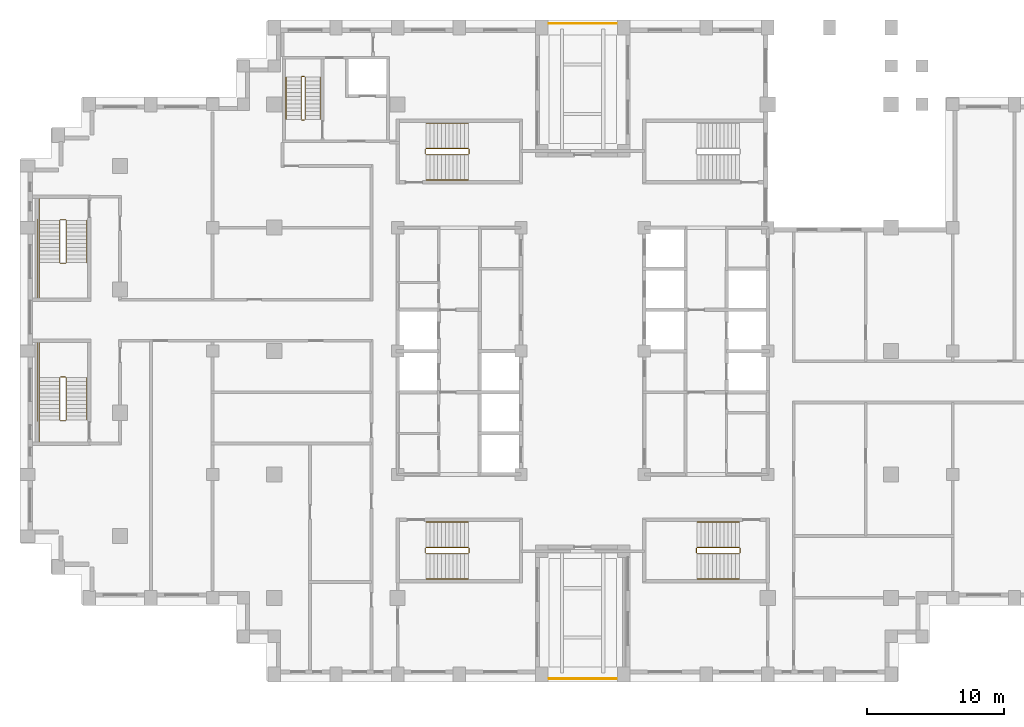
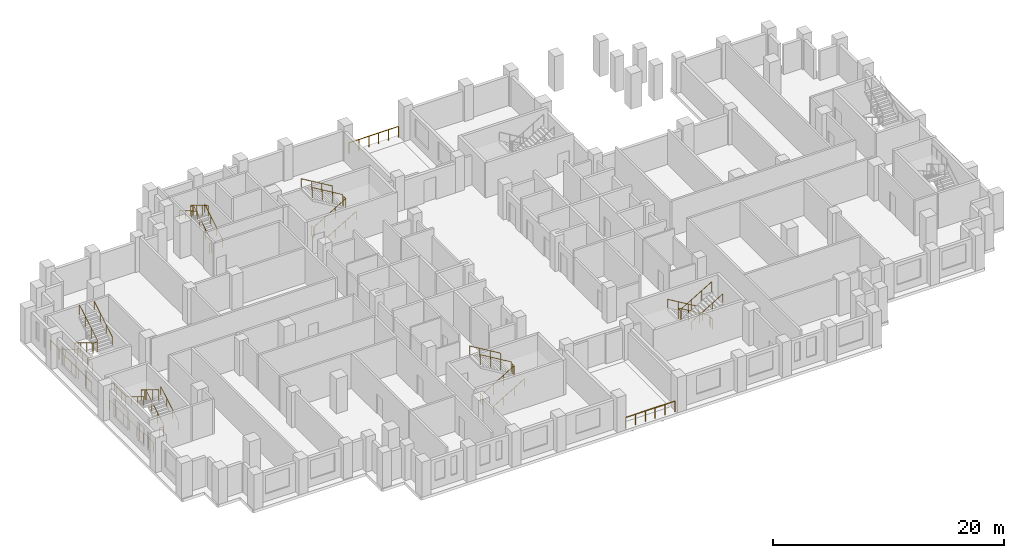
# One storey, part 11 of 12: 8 railings.
"""IFC4 building model written with IfcOpenShell, lengths in metres."""

from ifc_helpers import new_model, si_unit, direction, frame, origin, origin_2d, place, context, subcontext, project, spatial, circle, extrude, material, type_object, element, save


model = new_model("IFC4")

# Units and contexts
model_context = context("Model", 3, precision=1e-05, world=origin(), true_north=direction((0.0, 1.0)))
body_context = subcontext(model_context, "Body", "Model", "MODEL_VIEW")
ifc_project = project(units=[si_unit("LENGTHUNIT", "METRE"), si_unit("AREAUNIT", "SQUARE_METRE"), si_unit("VOLUMEUNIT", "CUBIC_METRE"), si_unit("PLANEANGLEUNIT", "RADIAN"), si_unit("MASSUNIT", "GRAM", prefix="KILO")], contexts=[model_context])

# Site, building, storey
site_placement = place(None, origin())
site = spatial("IfcSite", under=ifc_project, at=site_placement, CompositionType="ELEMENT")
building_placement = place(site_placement, origin())
building = spatial("IfcBuilding", under=site, at=building_placement, Name="Corbelhall Arena Tower", CompositionType="ELEMENT")
storey_placement = place(building_placement, frame((0.0, 0.0, 126.0)))
storey = spatial("IfcBuildingStorey", under=building, at=storey_placement, Name="L23", CompositionType="ELEMENT", Elevation=126.0)

# Railings
ifc_material = material(Name="Steel ASTM A500 Gr C", Category="steel")
railing_type_1 = type_object("IfcRailingType", Name="EV-GD1 Terrace guard 1100", PredefinedType="GUARDRAIL", material=ifc_material)
for number, where, name in (
    (1, (-2.449951171875, 23.89990234375, 0.0), "Guard"),
    (2, (-2.449951171875, -23.89990234375, 0.0), "Guard"),
):
    element("IfcRailing", number, at=place(storey_placement, frame(where)), inside=storey, type_object=railing_type_1, Name=name, PredefinedType="GUARDRAIL", context=body_context, shape_type="SweptSolid", body=[
        extrude(circle(Radius=0.02392578125, at=origin_2d()), frame((0.0, 0.0, 1.1259765625), z_axis=(1.0, 0.0, 0.0), x_axis=(0.0, 1.0, 0.0)), (0.0, 0.0, 1.0), 4.89990234375),
        extrude(circle(Radius=0.02099609375, at=origin_2d()), origin(), (0.0, 0.0, 1.0), 1.101806640625),
        extrude(circle(Radius=0.02099609375, at=origin_2d()), frame((0.97998046875, 0.0, 0.0)), (0.0, 0.0, 1.0), 1.101806640625),
        extrude(circle(Radius=0.02099609375, at=origin_2d()), frame((1.9599609375, 0.0, 0.0)), (0.0, 0.0, 1.0), 1.101806640625),
        extrude(circle(Radius=0.02099609375, at=origin_2d()), frame((2.93994140625, 0.0, 0.0)), (0.0, 0.0, 1.0), 1.101806640625),
        extrude(circle(Radius=0.02099609375, at=origin_2d()), frame((3.919921875, 0.0, 0.0)), (0.0, 0.0, 1.0), 1.101806640625),
        extrude(circle(Radius=0.02099609375, at=origin_2d()), frame((4.89990234375, 0.0, 0.0)), (0.0, 0.0, 1.0), 1.101806640625),
    ])
railing_type_2 = type_object("IfcRailingType", Name="IN-GD-1100", PredefinedType="GUARDRAIL", material=ifc_material)
railing_1_placement = place(storey_placement, frame((-11.425048828125, 14.324951171875, 0.166748046875)))
element("IfcRailing", 3, at=railing_1_placement, inside=storey, type_object=railing_type_2, Name="L23 ST1 stair guards and handrails", PredefinedType="GUARDRAIL", context=body_context, shape_type="SweptSolid", body=[
    extrude(circle(Radius=0.02392578125, at=origin_2d()), frame((0.0, 0.0, 1.076171875), z_axis=(0.859308565015, 0.0, 0.511457515432), x_axis=(0.0, 1.0, 0.0)), (0.0, 0.0, 1.0), 3.58447265625),
    extrude(circle(Radius=0.02392578125, at=origin_2d()), frame((3.130126953125, 0.050048828125, 2.9091796875), z_axis=(0.0, 1.0, 0.0), x_axis=(-1.0, 0.0, 0.0)), (0.0, 0.0, 1.0), 0.35009765625),
    extrude(circle(Radius=0.02392578125, at=origin_2d()), frame((3.080078125, 0.449951171875, 3.076171875), z_axis=(-0.859308565015, 0.0, 0.511457515432), x_axis=(0.0, -1.0, 0.0)), (0.0, 0.0, 1.0), 3.58447265625),
    extrude(circle(Radius=0.02392578125, at=origin_2d()), frame((-0.050048828125, 0.050048828125, 0.9091796875), z_axis=(0.0, 1.0, 0.0), x_axis=(-1.0, 0.0, 0.0)), (0.0, 0.0, 1.0), 0.35009765625),
    extrude(circle(Radius=0.02392578125, at=origin_2d()), frame((0.0, -1.849853515625, 0.8759765625), z_axis=(0.859308565015, 0.0, 0.511457515432), x_axis=(0.0, 1.0, 0.0)), (0.0, 0.0, 1.0), 3.58447265625),
    extrude(circle(Radius=0.02392578125, at=origin_2d()), frame((3.080078125, 2.300048828125, 2.8759765625), z_axis=(-0.859308565015, 0.0, 0.511457515432), x_axis=(0.0, -1.0, 0.0)), (0.0, 0.0, 1.0), 3.58447265625),
    extrude(circle(Radius=0.02099609375, at=origin_2d()), origin(), (0.0, 0.0, 1.0), 1.052001953125),
    extrude(circle(Radius=0.02099609375, at=origin_2d()), frame((1.026611328125, 0.0, 0.611083984375)), (0.0, 0.0, 1.0), 1.052001953125),
    extrude(circle(Radius=0.02099609375, at=origin_2d()), frame((2.053466796875, 0.0, 1.22216796875)), (0.0, 0.0, 1.0), 1.052001953125),
    extrude(circle(Radius=0.02099609375, at=origin_2d()), frame((3.080078125, 0.0, 1.833251953125)), (0.0, 0.0, 1.0), 1.052001953125),
    extrude(circle(Radius=0.02099609375, at=origin_2d()), frame((3.130126953125, 0.050048828125, 1.833251953125)), (0.0, 0.0, 1.0), 1.052001953125),
    extrude(circle(Radius=0.02099609375, at=origin_2d()), frame((3.130126953125, 0.400146484375, 1.833251953125)), (0.0, 0.0, 1.0), 1.052001953125),
    extrude(circle(Radius=0.02099609375, at=origin_2d()), frame((3.080078125, 0.449951171875, 2.0)), (0.0, 0.0, 1.0), 1.052001953125),
    extrude(circle(Radius=0.02099609375, at=origin_2d()), frame((2.053466796875, 0.449951171875, 2.611083984375)), (0.0, 0.0, 1.0), 1.052001953125),
    extrude(circle(Radius=0.02099609375, at=origin_2d()), frame((1.026611328125, 0.449951171875, 3.22216796875)), (0.0, 0.0, 1.0), 1.052001953125),
    extrude(circle(Radius=0.02099609375, at=origin_2d()), frame((0.0, 0.449951171875, 3.833251953125)), (0.0, 0.0, 1.0), 1.052001953125),
    extrude(circle(Radius=0.02099609375, at=origin_2d()), frame((-0.050048828125, 0.050048828125, -0.166748046875)), (0.0, 0.0, 1.0), 1.052001953125),
    extrude(circle(Radius=0.02099609375, at=origin_2d()), frame((-0.050048828125, 0.400146484375, -0.166748046875)), (0.0, 0.0, 1.0), 1.052001953125),
    extrude(circle(Radius=0.02099609375, at=origin_2d()), frame((0.0, -1.849853515625, 0.0)), (0.0, 0.0, 1.0), 0.851806640625),
    extrude(circle(Radius=0.02099609375, at=origin_2d()), frame((1.026611328125, -1.849853515625, 0.611083984375)), (0.0, 0.0, 1.0), 0.851806640625),
    extrude(circle(Radius=0.02099609375, at=origin_2d()), frame((2.053466796875, -1.849853515625, 1.22216796875)), (0.0, 0.0, 1.0), 0.851806640625),
    extrude(circle(Radius=0.02099609375, at=origin_2d()), frame((3.080078125, -1.849853515625, 1.833251953125)), (0.0, 0.0, 1.0), 0.851806640625),
    extrude(circle(Radius=0.02099609375, at=origin_2d()), frame((3.080078125, 2.300048828125, 2.0)), (0.0, 0.0, 1.0), 0.851806640625),
    extrude(circle(Radius=0.02099609375, at=origin_2d()), frame((2.053466796875, 2.300048828125, 2.611083984375)), (0.0, 0.0, 1.0), 0.851806640625),
    extrude(circle(Radius=0.02099609375, at=origin_2d()), frame((1.026611328125, 2.300048828125, 3.22216796875)), (0.0, 0.0, 1.0), 0.851806640625),
    extrude(circle(Radius=0.02099609375, at=origin_2d()), frame((0.0, 2.300048828125, 3.833251953125)), (0.0, 0.0, 1.0), 0.851806640625),
])
railing_2_placement = place(storey_placement, frame((-11.425048828125, -14.77490234375, 0.166748046875)))
element("IfcRailing", 4, at=railing_2_placement, inside=storey, type_object=railing_type_2, Name="L23 ST2 stair guards and handrails", PredefinedType="GUARDRAIL", context=body_context, shape_type="SweptSolid", body=[
    extrude(circle(Radius=0.02392578125, at=origin_2d()), frame((0.0, 0.0, 1.076171875), z_axis=(0.859308565015, 0.0, 0.511457515432), x_axis=(0.0, 1.0, 0.0)), (0.0, 0.0, 1.0), 3.58447265625),
    extrude(circle(Radius=0.02392578125, at=origin_2d()), frame((3.130126953125, 0.0498046875, 2.9091796875), z_axis=(0.0, 1.0, 0.0), x_axis=(-1.0, 0.0, 0.0)), (0.0, 0.0, 1.0), 0.35009765625),
    extrude(circle(Radius=0.02392578125, at=origin_2d()), frame((3.080078125, 0.449951171875, 3.076171875), z_axis=(-0.859308565015, 0.0, 0.511457515432), x_axis=(0.0, -1.0, 0.0)), (0.0, 0.0, 1.0), 3.58447265625),
    extrude(circle(Radius=0.02392578125, at=origin_2d()), frame((-0.050048828125, 0.0498046875, 0.9091796875), z_axis=(0.0, 1.0, 0.0), x_axis=(-1.0, 0.0, 0.0)), (0.0, 0.0, 1.0), 0.35009765625),
    extrude(circle(Radius=0.02392578125, at=origin_2d()), frame((0.0, -1.85009765625, 0.8759765625), z_axis=(0.859308565015, 0.0, 0.511457515432), x_axis=(0.0, 1.0, 0.0)), (0.0, 0.0, 1.0), 3.58447265625),
    extrude(circle(Radius=0.02392578125, at=origin_2d()), frame((3.080078125, 2.2998046875, 2.8759765625), z_axis=(-0.859308565015, 0.0, 0.511457515432), x_axis=(0.0, -1.0, 0.0)), (0.0, 0.0, 1.0), 3.58447265625),
    extrude(circle(Radius=0.02099609375, at=origin_2d()), origin(), (0.0, 0.0, 1.0), 1.052001953125),
    extrude(circle(Radius=0.02099609375, at=origin_2d()), frame((1.026611328125, 0.0, 0.611083984375)), (0.0, 0.0, 1.0), 1.052001953125),
    extrude(circle(Radius=0.02099609375, at=origin_2d()), frame((2.053466796875, 0.0, 1.22216796875)), (0.0, 0.0, 1.0), 1.052001953125),
    extrude(circle(Radius=0.02099609375, at=origin_2d()), frame((3.080078125, 0.0, 1.833251953125)), (0.0, 0.0, 1.0), 1.052001953125),
    extrude(circle(Radius=0.02099609375, at=origin_2d()), frame((3.130126953125, 0.0498046875, 1.833251953125)), (0.0, 0.0, 1.0), 1.052001953125),
    extrude(circle(Radius=0.02099609375, at=origin_2d()), frame((3.130126953125, 0.39990234375, 1.833251953125)), (0.0, 0.0, 1.0), 1.052001953125),
    extrude(circle(Radius=0.02099609375, at=origin_2d()), frame((3.080078125, 0.449951171875, 2.0)), (0.0, 0.0, 1.0), 1.052001953125),
    extrude(circle(Radius=0.02099609375, at=origin_2d()), frame((2.053466796875, 0.449951171875, 2.611083984375)), (0.0, 0.0, 1.0), 1.052001953125),
    extrude(circle(Radius=0.02099609375, at=origin_2d()), frame((1.026611328125, 0.449951171875, 3.22216796875)), (0.0, 0.0, 1.0), 1.052001953125),
    extrude(circle(Radius=0.02099609375, at=origin_2d()), frame((0.0, 0.449951171875, 3.833251953125)), (0.0, 0.0, 1.0), 1.052001953125),
    extrude(circle(Radius=0.02099609375, at=origin_2d()), frame((-0.050048828125, 0.0498046875, -0.166748046875)), (0.0, 0.0, 1.0), 1.052001953125),
    extrude(circle(Radius=0.02099609375, at=origin_2d()), frame((-0.050048828125, 0.39990234375, -0.166748046875)), (0.0, 0.0, 1.0), 1.052001953125),
    extrude(circle(Radius=0.02099609375, at=origin_2d()), frame((0.0, -1.85009765625, 0.0)), (0.0, 0.0, 1.0), 0.851806640625),
    extrude(circle(Radius=0.02099609375, at=origin_2d()), frame((1.026611328125, -1.85009765625, 0.611083984375)), (0.0, 0.0, 1.0), 0.851806640625),
    extrude(circle(Radius=0.02099609375, at=origin_2d()), frame((2.053466796875, -1.85009765625, 1.22216796875)), (0.0, 0.0, 1.0), 0.851806640625),
    extrude(circle(Radius=0.02099609375, at=origin_2d()), frame((3.080078125, -1.85009765625, 1.833251953125)), (0.0, 0.0, 1.0), 0.851806640625),
    extrude(circle(Radius=0.02099609375, at=origin_2d()), frame((3.080078125, 2.2998046875, 2.0)), (0.0, 0.0, 1.0), 0.851806640625),
    extrude(circle(Radius=0.02099609375, at=origin_2d()), frame((2.053466796875, 2.2998046875, 2.611083984375)), (0.0, 0.0, 1.0), 0.851806640625),
    extrude(circle(Radius=0.02099609375, at=origin_2d()), frame((1.026611328125, 2.2998046875, 3.22216796875)), (0.0, 0.0, 1.0), 0.851806640625),
    extrude(circle(Radius=0.02099609375, at=origin_2d()), frame((0.0, 2.2998046875, 3.833251953125)), (0.0, 0.0, 1.0), 0.851806640625),
])
railing_3_placement = place(storey_placement, frame((11.425048828125, -14.324951171875, 0.166748046875)))
element("IfcRailing", 5, at=railing_3_placement, inside=storey, type_object=railing_type_2, Name="L23 ST4 stair guards and handrails", PredefinedType="GUARDRAIL", context=body_context, shape_type="SweptSolid", body=[
    extrude(circle(Radius=0.02392578125, at=origin_2d()), frame((0.0, 0.0, 1.076171875), z_axis=(-0.859308565015, 0.0, 0.511457515432), x_axis=(0.0, -1.0, 0.0)), (0.0, 0.0, 1.0), 3.58447265625),
    extrude(circle(Radius=0.02392578125, at=origin_2d()), frame((-3.130126953125, -0.050048828125, 2.9091796875), z_axis=(0.0, -1.0, 0.0), x_axis=(1.0, 0.0, 0.0)), (0.0, 0.0, 1.0), 0.35009765625),
    extrude(circle(Radius=0.02392578125, at=origin_2d()), frame((-3.080078125, -0.449951171875, 3.076171875), z_axis=(0.859308565015, 0.0, 0.511457515432), x_axis=(0.0, 1.0, 0.0)), (0.0, 0.0, 1.0), 3.58447265625),
    extrude(circle(Radius=0.02392578125, at=origin_2d()), frame((0.050048828125, -0.050048828125, 0.9091796875), z_axis=(0.0, -1.0, 0.0), x_axis=(1.0, 0.0, 0.0)), (0.0, 0.0, 1.0), 0.35009765625),
    extrude(circle(Radius=0.02392578125, at=origin_2d()), frame((0.0, 1.849853515625, 0.8759765625), z_axis=(-0.859308565015, 0.0, 0.511457515432), x_axis=(0.0, -1.0, 0.0)), (0.0, 0.0, 1.0), 3.58447265625),
    extrude(circle(Radius=0.02392578125, at=origin_2d()), frame((-3.080078125, -2.300048828125, 2.8759765625), z_axis=(0.859308565015, 0.0, 0.511457515432), x_axis=(0.0, 1.0, 0.0)), (0.0, 0.0, 1.0), 3.58447265625),
    extrude(circle(Radius=0.02099609375, at=origin_2d()), origin(), (0.0, 0.0, 1.0), 1.052001953125),
    extrude(circle(Radius=0.02099609375, at=origin_2d()), frame((-1.026611328125, 0.0, 0.611083984375)), (0.0, 0.0, 1.0), 1.052001953125),
    extrude(circle(Radius=0.02099609375, at=origin_2d()), frame((-2.053466796875, 0.0, 1.22216796875)), (0.0, 0.0, 1.0), 1.052001953125),
    extrude(circle(Radius=0.02099609375, at=origin_2d()), frame((-3.080078125, 0.0, 1.833251953125)), (0.0, 0.0, 1.0), 1.052001953125),
    extrude(circle(Radius=0.02099609375, at=origin_2d()), frame((-3.130126953125, -0.050048828125, 1.833251953125)), (0.0, 0.0, 1.0), 1.052001953125),
    extrude(circle(Radius=0.02099609375, at=origin_2d()), frame((-3.130126953125, -0.400146484375, 1.833251953125)), (0.0, 0.0, 1.0), 1.052001953125),
    extrude(circle(Radius=0.02099609375, at=origin_2d()), frame((-3.080078125, -0.449951171875, 2.0)), (0.0, 0.0, 1.0), 1.052001953125),
    extrude(circle(Radius=0.02099609375, at=origin_2d()), frame((-2.053466796875, -0.449951171875, 2.611083984375)), (0.0, 0.0, 1.0), 1.052001953125),
    extrude(circle(Radius=0.02099609375, at=origin_2d()), frame((-1.026611328125, -0.449951171875, 3.22216796875)), (0.0, 0.0, 1.0), 1.052001953125),
    extrude(circle(Radius=0.02099609375, at=origin_2d()), frame((0.0, -0.449951171875, 3.833251953125)), (0.0, 0.0, 1.0), 1.052001953125),
    extrude(circle(Radius=0.02099609375, at=origin_2d()), frame((0.050048828125, -0.050048828125, -0.166748046875)), (0.0, 0.0, 1.0), 1.052001953125),
    extrude(circle(Radius=0.02099609375, at=origin_2d()), frame((0.050048828125, -0.400146484375, -0.166748046875)), (0.0, 0.0, 1.0), 1.052001953125),
    extrude(circle(Radius=0.02099609375, at=origin_2d()), frame((0.0, 1.849853515625, 0.0)), (0.0, 0.0, 1.0), 0.851806640625),
    extrude(circle(Radius=0.02099609375, at=origin_2d()), frame((-1.026611328125, 1.849853515625, 0.611083984375)), (0.0, 0.0, 1.0), 0.851806640625),
    extrude(circle(Radius=0.02099609375, at=origin_2d()), frame((-2.053466796875, 1.849853515625, 1.22216796875)), (0.0, 0.0, 1.0), 0.851806640625),
    extrude(circle(Radius=0.02099609375, at=origin_2d()), frame((-3.080078125, 1.849853515625, 1.833251953125)), (0.0, 0.0, 1.0), 0.851806640625),
    extrude(circle(Radius=0.02099609375, at=origin_2d()), frame((-3.080078125, -2.300048828125, 2.0)), (0.0, 0.0, 1.0), 0.851806640625),
    extrude(circle(Radius=0.02099609375, at=origin_2d()), frame((-2.053466796875, -2.300048828125, 2.611083984375)), (0.0, 0.0, 1.0), 0.851806640625),
    extrude(circle(Radius=0.02099609375, at=origin_2d()), frame((-1.026611328125, -2.300048828125, 3.22216796875)), (0.0, 0.0, 1.0), 0.851806640625),
    extrude(circle(Radius=0.02099609375, at=origin_2d()), frame((0.0, -2.300048828125, 3.833251953125)), (0.0, 0.0, 1.0), 0.851806640625),
])
railing_4_placement = place(storey_placement, frame((-38.14990234375, 9.52490234375, 0.166748046875)))
element("IfcRailing", 6, at=railing_4_placement, inside=storey, type_object=railing_type_2, Name="L23 SC1 stair guards and handrails", PredefinedType="GUARDRAIL", context=body_context, shape_type="SweptSolid", body=[
    extrude(circle(Radius=0.02392578125, at=origin_2d()), frame((0.0, 0.0, 1.076171875), z_axis=(0.0, -0.859290745958, 0.51148745235), x_axis=(1.0, 0.0, 0.0)), (0.0, 0.0, 1.0), 3.584228515625),
    extrude(circle(Radius=0.02392578125, at=origin_2d()), frame((0.0498046875, -3.1298828125, 2.9091796875), z_axis=(1.0, 0.0, 0.0), x_axis=(0.0, 1.0, 0.0)), (0.0, 0.0, 1.0), 0.375),
    extrude(circle(Radius=0.02392578125, at=origin_2d()), frame((-1.5, -3.079833984375, 2.9091796875), z_axis=(0.0, -1.0, 0.0), x_axis=(1.0, 0.0, 0.0)), (0.0, 0.0, 1.0), 2.570068359375),
    extrude(circle(Radius=0.02392578125, at=origin_2d()), frame((0.474853515625, -3.079833984375, 3.076171875), z_axis=(0.0, 0.859290745958, 0.51148745235), x_axis=(-1.0, 0.0, 0.0)), (0.0, 0.0, 1.0), 3.584228515625),
    extrude(circle(Radius=0.02392578125, at=origin_2d()), frame((0.0498046875, 0.050048828125, 0.9091796875), z_axis=(1.0, 0.0, 0.0), x_axis=(0.0, 1.0, 0.0)), (0.0, 0.0, 1.0), 0.375),
    extrude(circle(Radius=0.02392578125, at=origin_2d()), frame((-1.5, 1.60009765625, 0.9091796875), z_axis=(0.0, -1.0, 0.0), x_axis=(1.0, 0.0, 0.0)), (0.0, 0.0, 1.0), 1.60009765625),
    extrude(circle(Radius=0.02392578125, at=origin_2d()), frame((-1.60009765625, 0.10009765625, 0.9091796875), z_axis=(0.0, -1.0, 0.0), x_axis=(1.0, 0.0, 0.0)), (0.0, 0.0, 1.0), 5.85009765625),
    extrude(circle(Radius=0.02392578125, at=origin_2d()), frame((-1.5, 0.0, 0.8759765625), z_axis=(0.0, -0.859290745958, 0.51148745235), x_axis=(1.0, 0.0, 0.0)), (0.0, 0.0, 1.0), 3.584228515625),
    extrude(circle(Radius=0.02392578125, at=origin_2d()), frame((1.974853515625, -3.079833984375, 2.8759765625), z_axis=(0.0, 0.859290745958, 0.51148745235), x_axis=(-1.0, 0.0, 0.0)), (0.0, 0.0, 1.0), 3.584228515625),
    extrude(circle(Radius=0.02099609375, at=origin_2d()), origin(), (0.0, 0.0, 1.0), 1.052001953125),
    extrude(circle(Radius=0.02099609375, at=origin_2d()), frame((0.0, -1.026611328125, 0.611083984375)), (0.0, 0.0, 1.0), 1.052001953125),
    extrude(circle(Radius=0.02099609375, at=origin_2d()), frame((0.0, -2.05322265625, 1.22216796875)), (0.0, 0.0, 1.0), 1.052001953125),
    extrude(circle(Radius=0.02099609375, at=origin_2d()), frame((0.0, -3.079833984375, 1.833251953125)), (0.0, 0.0, 1.0), 1.052001953125),
    extrude(circle(Radius=0.02099609375, at=origin_2d()), frame((0.0498046875, -3.1298828125, 1.833251953125)), (0.0, 0.0, 1.0), 1.052001953125),
    extrude(circle(Radius=0.02099609375, at=origin_2d()), frame((0.4248046875, -3.1298828125, 1.833251953125)), (0.0, 0.0, 1.0), 1.052001953125),
    extrude(circle(Radius=0.02099609375, at=origin_2d()), frame((-1.5, -3.079833984375, 1.833251953125)), (0.0, 0.0, 1.0), 1.052001953125),
    extrude(circle(Radius=0.02099609375, at=origin_2d()), frame((-1.5, -3.9365234375, 1.833251953125)), (0.0, 0.0, 1.0), 1.052001953125),
    extrude(circle(Radius=0.02099609375, at=origin_2d()), frame((-1.5, -4.793212890625, 1.833251953125)), (0.0, 0.0, 1.0), 1.052001953125),
    extrude(circle(Radius=0.02099609375, at=origin_2d()), frame((-1.5, -5.64990234375, 1.833251953125)), (0.0, 0.0, 1.0), 1.052001953125),
    extrude(circle(Radius=0.02099609375, at=origin_2d()), frame((0.474853515625, -3.079833984375, 2.0)), (0.0, 0.0, 1.0), 1.052001953125),
    extrude(circle(Radius=0.02099609375, at=origin_2d()), frame((0.474853515625, -2.05322265625, 2.611083984375)), (0.0, 0.0, 1.0), 1.052001953125),
    extrude(circle(Radius=0.02099609375, at=origin_2d()), frame((0.474853515625, -1.026611328125, 3.22216796875)), (0.0, 0.0, 1.0), 1.052001953125),
    extrude(circle(Radius=0.02099609375, at=origin_2d()), frame((0.474853515625, 0.0, 3.833251953125)), (0.0, 0.0, 1.0), 1.052001953125),
    extrude(circle(Radius=0.02099609375, at=origin_2d()), frame((0.0498046875, 0.050048828125, -0.166748046875)), (0.0, 0.0, 1.0), 1.052001953125),
    extrude(circle(Radius=0.02099609375, at=origin_2d()), frame((0.4248046875, 0.050048828125, -0.166748046875)), (0.0, 0.0, 1.0), 1.052001953125),
    extrude(circle(Radius=0.02099609375, at=origin_2d()), frame((-1.5, 1.60009765625, -0.166748046875)), (0.0, 0.0, 1.0), 1.052001953125),
    extrude(circle(Radius=0.02099609375, at=origin_2d()), frame((-1.5, 0.800048828125, -0.166748046875)), (0.0, 0.0, 1.0), 1.052001953125),
    extrude(circle(Radius=0.02099609375, at=origin_2d()), frame((-1.5, 0.0, -0.166748046875)), (0.0, 0.0, 1.0), 1.052001953125),
    extrude(circle(Radius=0.02099609375, at=origin_2d()), frame((-1.60009765625, 0.10009765625, -0.166748046875)), (0.0, 0.0, 1.0), 1.052001953125),
    extrude(circle(Radius=0.02099609375, at=origin_2d()), frame((-1.60009765625, -1.06982421875, -0.166748046875)), (0.0, 0.0, 1.0), 1.052001953125),
    extrude(circle(Radius=0.02099609375, at=origin_2d()), frame((-1.60009765625, -2.239990234375, -0.166748046875)), (0.0, 0.0, 1.0), 1.052001953125),
    extrude(circle(Radius=0.02099609375, at=origin_2d()), frame((-1.60009765625, -3.409912109375, -0.166748046875)), (0.0, 0.0, 1.0), 1.052001953125),
    extrude(circle(Radius=0.02099609375, at=origin_2d()), frame((-1.60009765625, -4.580078125, -0.166748046875)), (0.0, 0.0, 1.0), 1.052001953125),
    extrude(circle(Radius=0.02099609375, at=origin_2d()), frame((-1.60009765625, -5.75, -0.166748046875)), (0.0, 0.0, 1.0), 1.052001953125),
    extrude(circle(Radius=0.02099609375, at=origin_2d()), frame((-1.5, 0.0, 0.0)), (0.0, 0.0, 1.0), 0.851806640625),
    extrude(circle(Radius=0.02099609375, at=origin_2d()), frame((-1.5, -1.026611328125, 0.611083984375)), (0.0, 0.0, 1.0), 0.851806640625),
    extrude(circle(Radius=0.02099609375, at=origin_2d()), frame((-1.5, -2.05322265625, 1.22216796875)), (0.0, 0.0, 1.0), 0.851806640625),
    extrude(circle(Radius=0.02099609375, at=origin_2d()), frame((1.974853515625, -3.079833984375, 2.0)), (0.0, 0.0, 1.0), 0.851806640625),
    extrude(circle(Radius=0.02099609375, at=origin_2d()), frame((1.974853515625, -2.05322265625, 2.611083984375)), (0.0, 0.0, 1.0), 0.851806640625),
    extrude(circle(Radius=0.02099609375, at=origin_2d()), frame((1.974853515625, -1.026611328125, 3.22216796875)), (0.0, 0.0, 1.0), 0.851806640625),
    extrude(circle(Radius=0.02099609375, at=origin_2d()), frame((1.974853515625, 0.0, 3.833251953125)), (0.0, 0.0, 1.0), 0.851806640625),
])
railing_5_placement = place(storey_placement, frame((-37.675048828125, -5.02490234375, 0.166748046875)))
element("IfcRailing", 7, at=railing_5_placement, inside=storey, type_object=railing_type_2, Name="L23 SC2 stair guards and handrails", PredefinedType="GUARDRAIL", context=body_context, shape_type="SweptSolid", body=[
    extrude(circle(Radius=0.02392578125, at=origin_2d()), frame((0.0, 0.0, 1.076171875), z_axis=(0.0, 0.859290745958, 0.51148745235), x_axis=(-1.0, 0.0, 0.0)), (0.0, 0.0, 1.0), 3.584228515625),
    extrude(circle(Radius=0.02392578125, at=origin_2d()), frame((-0.050048828125, 3.1298828125, 2.9091796875), z_axis=(-1.0, 0.0, 0.0), x_axis=(0.0, -1.0, 0.0)), (0.0, 0.0, 1.0), 0.375),
    extrude(circle(Radius=0.02392578125, at=origin_2d()), frame((-1.974853515625, 3.079833984375, 2.9091796875), z_axis=(0.0, 1.0, 0.0), x_axis=(-1.0, 0.0, 0.0)), (0.0, 0.0, 1.0), 2.570068359375),
    extrude(circle(Radius=0.02392578125, at=origin_2d()), frame((-0.474853515625, 3.079833984375, 3.076171875), z_axis=(0.0, -0.859290745958, 0.51148745235), x_axis=(1.0, 0.0, 0.0)), (0.0, 0.0, 1.0), 3.584228515625),
    extrude(circle(Radius=0.02392578125, at=origin_2d()), frame((-0.050048828125, -0.050048828125, 0.9091796875), z_axis=(-1.0, 0.0, 0.0), x_axis=(0.0, -1.0, 0.0)), (0.0, 0.0, 1.0), 0.375),
    extrude(circle(Radius=0.02392578125, at=origin_2d()), frame((-1.974853515625, -1.60009765625, 0.9091796875), z_axis=(0.0, 1.0, 0.0), x_axis=(-1.0, 0.0, 0.0)), (0.0, 0.0, 1.0), 1.60009765625),
    extrude(circle(Radius=0.02392578125, at=origin_2d()), frame((-2.074951171875, -0.10009765625, 0.9091796875), z_axis=(0.0, 1.0, 0.0), x_axis=(-1.0, 0.0, 0.0)), (0.0, 0.0, 1.0), 5.85009765625),
    extrude(circle(Radius=0.02392578125, at=origin_2d()), frame((1.5, 0.0, 0.8759765625), z_axis=(0.0, 0.859290745958, 0.51148745235), x_axis=(-1.0, 0.0, 0.0)), (0.0, 0.0, 1.0), 3.584228515625),
    extrude(circle(Radius=0.02392578125, at=origin_2d()), frame((-1.974853515625, 3.079833984375, 2.8759765625), z_axis=(0.0, -0.859290745958, 0.51148745235), x_axis=(1.0, 0.0, 0.0)), (0.0, 0.0, 1.0), 3.584228515625),
    extrude(circle(Radius=0.02099609375, at=origin_2d()), origin(), (0.0, 0.0, 1.0), 1.052001953125),
    extrude(circle(Radius=0.02099609375, at=origin_2d()), frame((0.0, 1.026611328125, 0.611083984375)), (0.0, 0.0, 1.0), 1.052001953125),
    extrude(circle(Radius=0.02099609375, at=origin_2d()), frame((0.0, 2.05322265625, 1.22216796875)), (0.0, 0.0, 1.0), 1.052001953125),
    extrude(circle(Radius=0.02099609375, at=origin_2d()), frame((0.0, 3.079833984375, 1.833251953125)), (0.0, 0.0, 1.0), 1.052001953125),
    extrude(circle(Radius=0.02099609375, at=origin_2d()), frame((-0.050048828125, 3.1298828125, 1.833251953125)), (0.0, 0.0, 1.0), 1.052001953125),
    extrude(circle(Radius=0.02099609375, at=origin_2d()), frame((-0.425048828125, 3.1298828125, 1.833251953125)), (0.0, 0.0, 1.0), 1.052001953125),
    extrude(circle(Radius=0.02099609375, at=origin_2d()), frame((-1.974853515625, 3.079833984375, 1.833251953125)), (0.0, 0.0, 1.0), 1.052001953125),
    extrude(circle(Radius=0.02099609375, at=origin_2d()), frame((-1.974853515625, 3.9365234375, 1.833251953125)), (0.0, 0.0, 1.0), 1.052001953125),
    extrude(circle(Radius=0.02099609375, at=origin_2d()), frame((-1.974853515625, 4.793212890625, 1.833251953125)), (0.0, 0.0, 1.0), 1.052001953125),
    extrude(circle(Radius=0.02099609375, at=origin_2d()), frame((-1.974853515625, 5.64990234375, 1.833251953125)), (0.0, 0.0, 1.0), 1.052001953125),
    extrude(circle(Radius=0.02099609375, at=origin_2d()), frame((-0.474853515625, 3.079833984375, 2.0)), (0.0, 0.0, 1.0), 1.052001953125),
    extrude(circle(Radius=0.02099609375, at=origin_2d()), frame((-0.474853515625, 2.05322265625, 2.611083984375)), (0.0, 0.0, 1.0), 1.052001953125),
    extrude(circle(Radius=0.02099609375, at=origin_2d()), frame((-0.474853515625, 1.026611328125, 3.22216796875)), (0.0, 0.0, 1.0), 1.052001953125),
    extrude(circle(Radius=0.02099609375, at=origin_2d()), frame((-0.474853515625, 0.0, 3.833251953125)), (0.0, 0.0, 1.0), 1.052001953125),
    extrude(circle(Radius=0.02099609375, at=origin_2d()), frame((-0.050048828125, -0.050048828125, -0.166748046875)), (0.0, 0.0, 1.0), 1.052001953125),
    extrude(circle(Radius=0.02099609375, at=origin_2d()), frame((-0.425048828125, -0.050048828125, -0.166748046875)), (0.0, 0.0, 1.0), 1.052001953125),
    extrude(circle(Radius=0.02099609375, at=origin_2d()), frame((-1.974853515625, -1.60009765625, -0.166748046875)), (0.0, 0.0, 1.0), 1.052001953125),
    extrude(circle(Radius=0.02099609375, at=origin_2d()), frame((-1.974853515625, -0.800048828125, -0.166748046875)), (0.0, 0.0, 1.0), 1.052001953125),
    extrude(circle(Radius=0.02099609375, at=origin_2d()), frame((-1.974853515625, 0.0, -0.166748046875)), (0.0, 0.0, 1.0), 1.052001953125),
    extrude(circle(Radius=0.02099609375, at=origin_2d()), frame((-2.074951171875, -0.10009765625, -0.166748046875)), (0.0, 0.0, 1.0), 1.052001953125),
    extrude(circle(Radius=0.02099609375, at=origin_2d()), frame((-2.074951171875, 1.06982421875, -0.166748046875)), (0.0, 0.0, 1.0), 1.052001953125),
    extrude(circle(Radius=0.02099609375, at=origin_2d()), frame((-2.074951171875, 2.239990234375, -0.166748046875)), (0.0, 0.0, 1.0), 1.052001953125),
    extrude(circle(Radius=0.02099609375, at=origin_2d()), frame((-2.074951171875, 3.409912109375, -0.166748046875)), (0.0, 0.0, 1.0), 1.052001953125),
    extrude(circle(Radius=0.02099609375, at=origin_2d()), frame((-2.074951171875, 4.580078125, -0.166748046875)), (0.0, 0.0, 1.0), 1.052001953125),
    extrude(circle(Radius=0.02099609375, at=origin_2d()), frame((-2.074951171875, 5.75, -0.166748046875)), (0.0, 0.0, 1.0), 1.052001953125),
    extrude(circle(Radius=0.02099609375, at=origin_2d()), frame((1.5, 0.0, 0.0)), (0.0, 0.0, 1.0), 0.851806640625),
    extrude(circle(Radius=0.02099609375, at=origin_2d()), frame((1.5, 1.026611328125, 0.611083984375)), (0.0, 0.0, 1.0), 0.851806640625),
    extrude(circle(Radius=0.02099609375, at=origin_2d()), frame((1.5, 2.05322265625, 1.22216796875)), (0.0, 0.0, 1.0), 0.851806640625),
    extrude(circle(Radius=0.02099609375, at=origin_2d()), frame((1.5, 3.079833984375, 1.833251953125)), (0.0, 0.0, 1.0), 0.851806640625),
    extrude(circle(Radius=0.02099609375, at=origin_2d()), frame((-1.974853515625, 3.079833984375, 2.0)), (0.0, 0.0, 1.0), 0.851806640625),
    extrude(circle(Radius=0.02099609375, at=origin_2d()), frame((-1.974853515625, 2.05322265625, 2.611083984375)), (0.0, 0.0, 1.0), 0.851806640625),
    extrude(circle(Radius=0.02099609375, at=origin_2d()), frame((-1.974853515625, 1.026611328125, 3.22216796875)), (0.0, 0.0, 1.0), 0.851806640625),
    extrude(circle(Radius=0.02099609375, at=origin_2d()), frame((-1.974853515625, 0.0, 3.833251953125)), (0.0, 0.0, 1.0), 0.851806640625),
])
railing_6_placement = place(storey_placement, frame((-20.2451171875, 16.89990234375, 0.166748046875)))
element("IfcRailing", 8, at=railing_6_placement, inside=storey, type_object=railing_type_2, Name="L23 ST5 stair guards and handrails", PredefinedType="GUARDRAIL", context=body_context, shape_type="SweptSolid", body=[
    extrude(circle(Radius=0.02392578125, at=origin_2d()), frame((0.0, 0.0, 1.076171875), z_axis=(0.0, 0.859308565015, 0.511457515432), x_axis=(-1.0, 0.0, 0.0)), (0.0, 0.0, 1.0), 3.58447265625),
    extrude(circle(Radius=0.02392578125, at=origin_2d()), frame((-0.0498046875, 3.130126953125, 2.9091796875), z_axis=(-1.0, 0.0, 0.0), x_axis=(0.0, -1.0, 0.0)), (0.0, 0.0, 1.0), 0.2001953125),
    extrude(circle(Radius=0.02392578125, at=origin_2d()), frame((-0.2998046875, 3.080078125, 3.076171875), z_axis=(0.0, -0.859308565015, 0.511457515432), x_axis=(1.0, 0.0, 0.0)), (0.0, 0.0, 1.0), 3.58447265625),
    extrude(circle(Radius=0.02392578125, at=origin_2d()), frame((-0.0498046875, -0.0498046875, 0.9091796875), z_axis=(-1.0, 0.0, 0.0), x_axis=(0.0, -1.0, 0.0)), (0.0, 0.0, 1.0), 0.2001953125),
    extrude(circle(Radius=0.02392578125, at=origin_2d()), frame((1.10009765625, 0.0, 0.8759765625), z_axis=(0.0, 0.859308565015, 0.511457515432), x_axis=(-1.0, 0.0, 0.0)), (0.0, 0.0, 1.0), 3.58447265625),
    extrude(circle(Radius=0.02392578125, at=origin_2d()), frame((-1.39990234375, 3.080078125, 2.8759765625), z_axis=(0.0, -0.859308565015, 0.511457515432), x_axis=(1.0, 0.0, 0.0)), (0.0, 0.0, 1.0), 3.58447265625),
    extrude(circle(Radius=0.02099609375, at=origin_2d()), origin(), (0.0, 0.0, 1.0), 1.052001953125),
    extrude(circle(Radius=0.02099609375, at=origin_2d()), frame((0.0, 1.026611328125, 0.611083984375)), (0.0, 0.0, 1.0), 1.052001953125),
    extrude(circle(Radius=0.02099609375, at=origin_2d()), frame((0.0, 2.053466796875, 1.22216796875)), (0.0, 0.0, 1.0), 1.052001953125),
    extrude(circle(Radius=0.02099609375, at=origin_2d()), frame((0.0, 3.080078125, 1.833251953125)), (0.0, 0.0, 1.0), 1.052001953125),
    extrude(circle(Radius=0.02099609375, at=origin_2d()), frame((-0.0498046875, 3.130126953125, 1.833251953125)), (0.0, 0.0, 1.0), 1.052001953125),
    extrude(circle(Radius=0.02099609375, at=origin_2d()), frame((-0.25, 3.130126953125, 1.833251953125)), (0.0, 0.0, 1.0), 1.052001953125),
    extrude(circle(Radius=0.02099609375, at=origin_2d()), frame((-0.2998046875, 3.080078125, 2.0)), (0.0, 0.0, 1.0), 1.052001953125),
    extrude(circle(Radius=0.02099609375, at=origin_2d()), frame((-0.2998046875, 2.053466796875, 2.611083984375)), (0.0, 0.0, 1.0), 1.052001953125),
    extrude(circle(Radius=0.02099609375, at=origin_2d()), frame((-0.2998046875, 1.026611328125, 3.22216796875)), (0.0, 0.0, 1.0), 1.052001953125),
    extrude(circle(Radius=0.02099609375, at=origin_2d()), frame((-0.2998046875, 0.0, 3.833251953125)), (0.0, 0.0, 1.0), 1.052001953125),
    extrude(circle(Radius=0.02099609375, at=origin_2d()), frame((-0.0498046875, -0.0498046875, -0.166748046875)), (0.0, 0.0, 1.0), 1.052001953125),
    extrude(circle(Radius=0.02099609375, at=origin_2d()), frame((-0.25, -0.0498046875, -0.166748046875)), (0.0, 0.0, 1.0), 1.052001953125),
    extrude(circle(Radius=0.02099609375, at=origin_2d()), frame((1.10009765625, 0.0, 0.0)), (0.0, 0.0, 1.0), 0.851806640625),
    extrude(circle(Radius=0.02099609375, at=origin_2d()), frame((1.10009765625, 1.026611328125, 0.611083984375)), (0.0, 0.0, 1.0), 0.851806640625),
    extrude(circle(Radius=0.02099609375, at=origin_2d()), frame((1.10009765625, 2.053466796875, 1.22216796875)), (0.0, 0.0, 1.0), 0.851806640625),
    extrude(circle(Radius=0.02099609375, at=origin_2d()), frame((1.10009765625, 3.080078125, 1.833251953125)), (0.0, 0.0, 1.0), 0.851806640625),
    extrude(circle(Radius=0.02099609375, at=origin_2d()), frame((-1.39990234375, 3.080078125, 2.0)), (0.0, 0.0, 1.0), 0.851806640625),
    extrude(circle(Radius=0.02099609375, at=origin_2d()), frame((-1.39990234375, 2.053466796875, 2.611083984375)), (0.0, 0.0, 1.0), 0.851806640625),
    extrude(circle(Radius=0.02099609375, at=origin_2d()), frame((-1.39990234375, 1.026611328125, 3.22216796875)), (0.0, 0.0, 1.0), 0.851806640625),
    extrude(circle(Radius=0.02099609375, at=origin_2d()), frame((-1.39990234375, 0.0, 3.833251953125)), (0.0, 0.0, 1.0), 0.851806640625),
])

save(model, "model.ifc")
